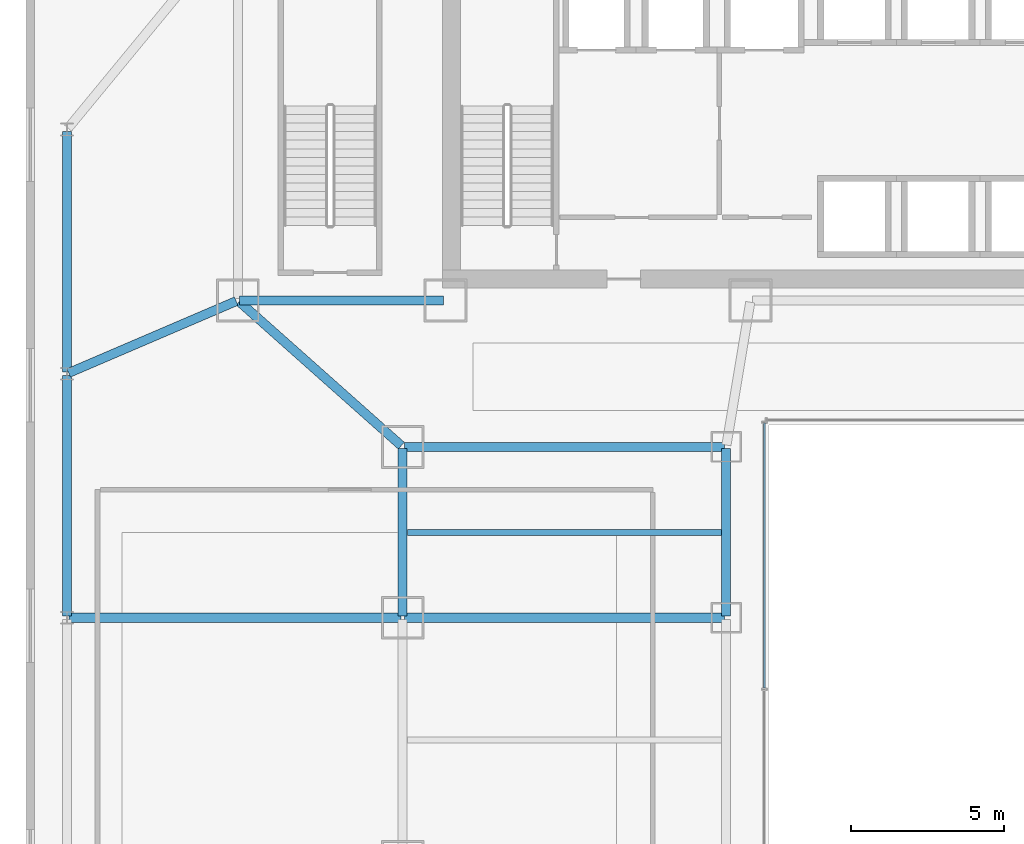
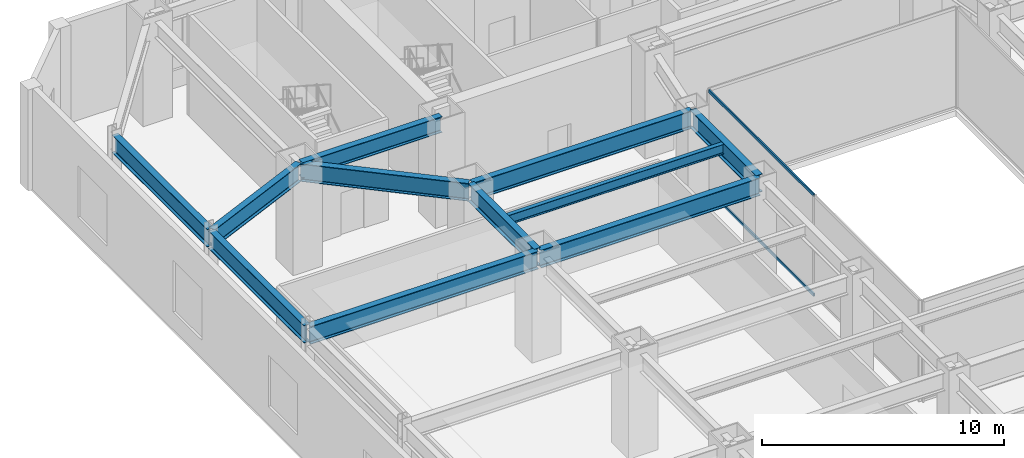
# One storey, part 23 of 52: 11 beams, 2 members, 1 element without a shape of its own.
"""IFC4 building model written with IfcOpenShell, lengths in metres."""

from ifc_helpers import new_model, si_unit, direction, frame, origin, origin_2d, place, context, subcontext, project, spatial, hollow_rectangle, i_section, extrude, material, material_profile, profile_set, type_object, element, aggregate, save


model = new_model("IFC4")

# Units and contexts
model_context = context("Model", 3, precision=1e-05, world=origin(), true_north=direction((0.0, 1.0)))
body_context = subcontext(model_context, "Body", "Model", "MODEL_VIEW")
ifc_project = project(units=[si_unit("LENGTHUNIT", "METRE"), si_unit("AREAUNIT", "SQUARE_METRE"), si_unit("VOLUMEUNIT", "CUBIC_METRE"), si_unit("PLANEANGLEUNIT", "RADIAN"), si_unit("MASSUNIT", "GRAM", prefix="KILO")], contexts=[model_context])

# Site, building, storey
site_placement = place(None, origin())
site = spatial("IfcSite", under=ifc_project, at=site_placement, CompositionType="ELEMENT")
building_placement = place(site_placement, origin())
building = spatial("IfcBuilding", under=site, at=building_placement, Name="Saevonmaru Cultural Tower", CompositionType="ELEMENT")
storey_placement = place(building_placement, frame((0.0, 0.0, 11.39990234375)))
storey = spatial("IfcBuildingStorey", under=building, at=storey_placement, Name="L02", CompositionType="ELEMENT", Elevation=11.39990234375)

# Beams
ifc_material_1 = material(Name="Steel SM420", Category="steel")
ifc_material_profile_1 = material_profile(ifc_material_1, i_section(OverallWidth=0.300048828125, OverallDepth=0.800048828125, WebThickness=0.013916015625, FlangeThickness=0.02587890625, FilletRadius=0.028076171875, at=origin_2d()), Name="H-800x300x14x26")
ifc_profile_set_1 = profile_set([ifc_material_profile_1], Name="Steel SM420")
beam_type_1 = type_object("IfcBeamType", Name="BM-G-H800", PredefinedType="BEAM", material=ifc_profile_set_1)
beam_1_placement = place(storey_placement, frame((6.860107421875, 42.39990234375, 4.7001953125), z_axis=(1.0, 0.0, 0.0), x_axis=(0.0, 1.0, 0.0)))
element("IfcBeam", 1, at=beam_1_placement, inside=storey, type_object=beam_type_1, Name="L02 Core South Girder 1", PredefinedType="BEAM", context=body_context, shape_type="SweptSolid", body=[
    extrude(i_section(OverallWidth=0.300048828125, OverallDepth=0.800048828125, WebThickness=0.013916015625, FlangeThickness=0.02587890625, FilletRadius=0.028076171875, at=origin_2d()), origin(), (0.0, 0.0, 1.0), 6.679931640625),
])
ifc_material_profile_2 = material_profile(ifc_material_1, i_section(OverallWidth=0.300048828125, OverallDepth=0.89990234375, WebThickness=0.01611328125, FlangeThickness=0.028076171875, FilletRadius=0.028076171875, at=origin_2d()), Name="H-900x300x16x28")
ifc_profile_set_2 = profile_set([ifc_material_profile_2], Name="Steel SM420")
beam_type_2 = type_object("IfcBeamType", Name="BM-G-H900", PredefinedType="BEAM", material=ifc_profile_set_2)
beam_2_placement = place(storey_placement, frame((12.199951171875, 32.06005859375, 4.650146484375), z_axis=(0.0, 1.0, 0.0), x_axis=(-1.0, 0.0, 0.0)))
element("IfcBeam", 2, at=beam_2_placement, inside=storey, type_object=beam_type_2, Name="L02 Podium Girder NS1-5", PredefinedType="BEAM", context=body_context, shape_type="SweptSolid", body=[
    extrude(i_section(OverallWidth=0.300048828125, OverallDepth=0.89990234375, WebThickness=0.01611328125, FlangeThickness=0.028076171875, FilletRadius=0.028076171875, at=origin_2d()), origin(), (0.0, 0.0, 1.0), 5.47998046875),
])
beam_3_placement = place(storey_placement, frame((12.1552734375, 37.639892578125, 4.650146484375), z_axis=(-0.74742827637, 0.664342510819, 0.0), x_axis=(-0.664342510819, -0.74742827637, 0.0)))
element("IfcBeam", 3, at=beam_3_placement, inside=storey, type_object=beam_type_2, Name="L02 Podium Girder NS1-6", PredefinedType="BEAM", context=body_context, shape_type="SweptSolid", body=[
    extrude(i_section(OverallWidth=0.300048828125, OverallDepth=0.89990234375, WebThickness=0.01611328125, FlangeThickness=0.028076171875, FilletRadius=0.028076171875, at=origin_2d()), origin(), (0.0, 0.0, 1.0), 7.10498046875),
])
beam_4_placement = place(storey_placement, frame((22.800048828125, 32.06005859375, 4.650146484375), z_axis=(0.0, 1.0, 0.0), x_axis=(-1.0, 0.0, 0.0)))
element("IfcBeam", 4, at=beam_4_placement, inside=storey, type_object=beam_type_2, Name="L02 Podium Girder NS2-5", PredefinedType="BEAM", context=body_context, shape_type="SweptSolid", body=[
    extrude(i_section(OverallWidth=0.300048828125, OverallDepth=0.89990234375, WebThickness=0.01611328125, FlangeThickness=0.028076171875, FilletRadius=0.028076171875, at=origin_2d()), origin(), (0.0, 0.0, 1.0), 5.47998046875),
])
for number, where, z_axis, x_axis, name in (
    (5, (12.260009765625, 32.0, 4.650146484375), (1.0, 0.0, 0.0), (0.0, 1.0, 0.0), "L02 Gallery Girder W-4"),
    (6, (12.260009765625, 37.60009765625, 4.650146484375), (1.0, 0.0, 0.0), (0.0, 1.0, 0.0), "L02 Gallery Girder W-5"),
):
    element("IfcBeam", number, at=place(storey_placement, frame(where, z_axis=z_axis, x_axis=x_axis)), inside=storey, type_object=beam_type_2, Name=name, PredefinedType="BEAM", context=body_context, shape_type="SweptSolid", body=[
        extrude(i_section(OverallWidth=0.300048828125, OverallDepth=0.89990234375, WebThickness=0.01611328125, FlangeThickness=0.028076171875, FilletRadius=0.028076171875, at=origin_2d()), origin(), (0.0, 0.0, 1.0), 10.47998046875),
    ])
beam_5_placement = place(storey_placement, frame((1.260009765625, 32.0, 4.650146484375), z_axis=(1.0, 0.0, 0.0), x_axis=(0.0, 1.0, 0.0)))
element("IfcBeam", 7, at=beam_5_placement, inside=storey, type_object=beam_type_2, Name="BM-POD-OW-4-L02", PredefinedType="BEAM", context=body_context, shape_type="SweptSolid", body=[
    extrude(i_section(OverallWidth=0.300048828125, OverallDepth=0.89990234375, WebThickness=0.01611328125, FlangeThickness=0.028076171875, FilletRadius=0.028076171875, at=origin_2d()), origin(), (0.0, 0.0, 1.0), 10.8798828125),
])
for number, where, z_axis, x_axis, name in (
    (8, (1.199951171875, 32.06005859375, 4.650146484375), (0.0, 1.0, 0.0), (-1.0, 0.0, 0.0), "BM-POD-PW-4-L02"),
    (9, (1.199951171875, 40.06005859375, 4.650146484375), (0.0, 1.0, 0.0), (-1.0, 0.0, 0.0), "BM-POD-PW-5-L02"),
):
    element("IfcBeam", number, at=place(storey_placement, frame(where, z_axis=z_axis, x_axis=x_axis)), inside=storey, type_object=beam_type_2, Name=name, PredefinedType="BEAM", context=body_context, shape_type="SweptSolid", body=[
        extrude(i_section(OverallWidth=0.300048828125, OverallDepth=0.89990234375, WebThickness=0.01611328125, FlangeThickness=0.028076171875, FilletRadius=0.028076171875, at=origin_2d()), origin(), (0.0, 0.0, 1.0), 7.8798828125),
    ])
beam_6_placement = place(storey_placement, frame((1.255126953125, 40.023681640625, 4.650146484375), z_axis=(0.919142915717, 0.393924231912, 0.0), x_axis=(-0.393924231912, 0.919142915717, 0.0)))
element("IfcBeam", 10, at=beam_6_placement, inside=storey, type_object=beam_type_2, Name="BM-POD-TW1-L02", PredefinedType="BEAM", context=body_context, shape_type="SweptSolid", body=[
    extrude(i_section(OverallWidth=0.300048828125, OverallDepth=0.89990234375, WebThickness=0.01611328125, FlangeThickness=0.028076171875, FilletRadius=0.028076171875, at=origin_2d()), origin(), (0.0, 0.0, 1.0), 5.97265625),
])
ifc_material_2 = material(Name="Steel SM355", Category="steel")
ifc_material_profile_3 = material_profile(ifc_material_2, i_section(OverallWidth=0.199951171875, OverallDepth=0.5, WebThickness=0.010009765625, FlangeThickness=0.01611328125, FilletRadius=0.02001953125, at=origin_2d()), Name="H-500x200x10x16")
ifc_profile_set_3 = profile_set([ifc_material_profile_3], Name="Steel SM355")
beam_type_3 = type_object("IfcBeamType", Name="BM-J-H500", PredefinedType="JOIST", material=ifc_profile_set_3)
beam_7_placement = place(storey_placement, frame((12.35791015625, 34.800048828125, 4.85009765625), z_axis=(1.0, 0.0, 0.0), x_axis=(0.0, 1.0, 0.0)))
element("IfcBeam", 11, at=beam_7_placement, inside=storey, type_object=beam_type_3, Name="L02 Secondary Floor Joist JW-4", PredefinedType="JOIST", context=body_context, shape_type="SweptSolid", body=[
    extrude(i_section(OverallWidth=0.199951171875, OverallDepth=0.5, WebThickness=0.010009765625, FlangeThickness=0.01611328125, FilletRadius=0.02001953125, at=origin_2d()), origin(), (0.0, 0.0, 1.0), 10.2841796875),
])

# Curtain wall, members
ifc_material_3 = material(Name="Satin Bronze Anodised Aluminium", Category="aluminium")
curtain_wall_type = type_object("IfcCurtainWallType", Name="CW-ATR-GLZ", PredefinedType="NOTDEFINED", material=ifc_material_3)
curtain_wall_placement = place(storey_placement, origin())
curtain_wall = element("IfcCurtainWall", 12, at=curtain_wall_placement, inside=storey, type_object=curtain_wall_type, Name="L02 Vertical Atrium Glazed Smoke Screen 4", PredefinedType="NOTDEFINED")
ifc_material_profile_4 = material_profile(ifc_material_3, hollow_rectangle(XDim=0.06494140625, YDim=0.14990234375, WallThickness=0.00390625, at=origin_2d()), Name="ALU-TRAN-150x65x4")
ifc_profile_set_4 = profile_set([ifc_material_profile_4], Name="Satin Bronze Anodised Aluminium")
member_type = type_object("IfcMemberType", Name="TR-CW-INT-150x65", PredefinedType="USERDEFINED", material=ifc_profile_set_4)
member_1_placement = place(storey_placement, frame((24.050048828125, 38.37744140625, 0.03271484375), z_axis=(0.0, -1.0, 0.0), x_axis=(1.0, 0.0, 0.0)))
member_1 = element("IfcMember", 13, at=member_1_placement, type_object=member_type, Name="CW-ATR-L02-4 transom 1.1", ObjectType="TRANSOM", PredefinedType="USERDEFINED", context=body_context, shape_type="SweptSolid", body=[
    extrude(hollow_rectangle(XDim=0.06494140625, YDim=0.14990234375, WallThickness=0.00390625, at=origin_2d()), origin(), (0.0, 0.0, 1.0), 8.68505859375),
])
member_2_placement = place(storey_placement, frame((24.050048828125, 38.37744140625, 5.067626953125), z_axis=(0.0, -1.0, 0.0), x_axis=(1.0, 0.0, 0.0)))
member_2 = element("IfcMember", 14, at=member_2_placement, type_object=member_type, Name="CW-ATR-L02-4 transom 1.2", ObjectType="TRANSOM", PredefinedType="USERDEFINED", context=body_context, shape_type="SweptSolid", body=[
    extrude(hollow_rectangle(XDim=0.06494140625, YDim=0.14990234375, WallThickness=0.00390625, at=origin_2d()), origin(), (0.0, 0.0, 1.0), 8.68505859375),
])
aggregate(curtain_wall, [member_1, member_2])

save(model, "model.ifc")
